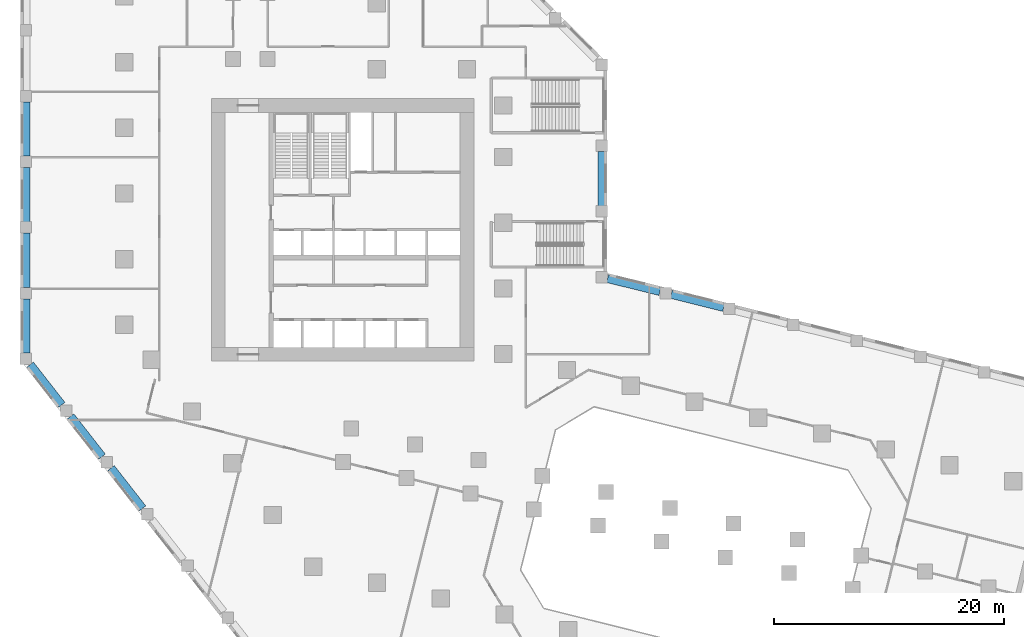
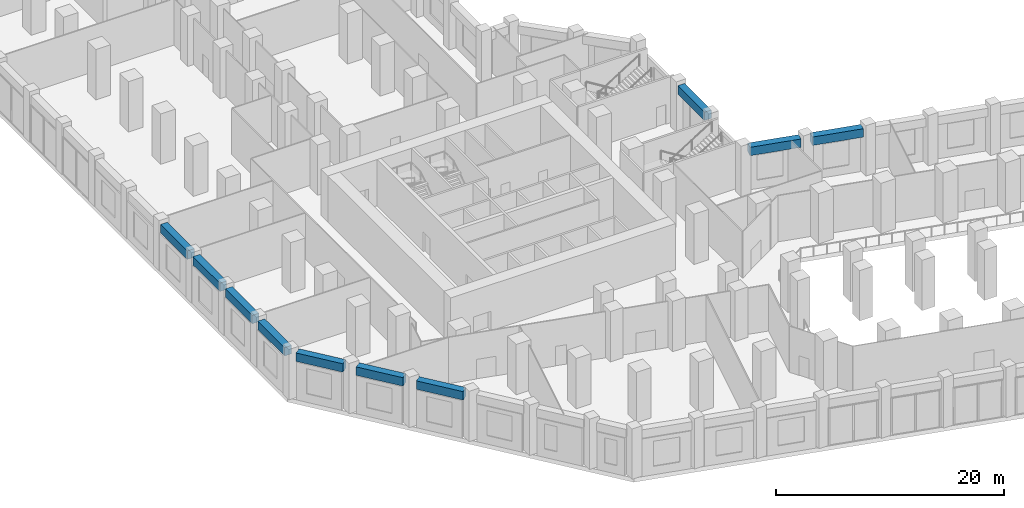
# One storey, part 3 of 23: 10 beams.
"""IFC4 building model written with IfcOpenShell, lengths in metres."""

from ifc_helpers import new_model, si_unit, direction, frame, origin, origin_2d, place, context, subcontext, project, spatial, rectangle, extrude, material, material_profile, profile_set, type_object, element, save


model = new_model("IFC4")

# Units and contexts
model_context = context("Model", 3, precision=1e-05, world=origin(), true_north=direction((0.0, 1.0)))
body_context = subcontext(model_context, "Body", "Model", "MODEL_VIEW")
ifc_project = project(units=[si_unit("LENGTHUNIT", "METRE"), si_unit("AREAUNIT", "SQUARE_METRE"), si_unit("VOLUMEUNIT", "CUBIC_METRE"), si_unit("PLANEANGLEUNIT", "RADIAN"), si_unit("MASSUNIT", "GRAM", prefix="KILO")], contexts=[model_context])

# Site, building, storey
site_placement = place(None, origin())
site = spatial("IfcSite", under=ifc_project, at=site_placement, CompositionType="ELEMENT")
building_placement = place(site_placement, origin())
building = spatial("IfcBuilding", under=site, at=building_placement, Name="Meshkara Civic Tower", CompositionType="ELEMENT")
storey_placement = place(building_placement, frame((0.0, 0.0, 7.199951171875)))
storey = spatial("IfcBuildingStorey", under=building, at=storey_placement, Name="L01", CompositionType="ELEMENT", Elevation=7.199951171875)

# Beams
ifc_material = material(Name="Concrete C60", Category="concrete")
ifc_material_profile = material_profile(ifc_material, rectangle(XDim=0.699951171875, YDim=0.89990234375, at=origin_2d()))
ifc_profile_set = profile_set([ifc_material_profile], Name="Concrete C60")
beam_type = type_object("IfcBeamType", Name="Spandrel beam RC 700x900 C60", PredefinedType="BEAM", material=ifc_profile_set)
for number, where, z_axis, x_axis, name in (
    (1, (-8.10009765625, 36.615966796875, 4.5), (0.0, -1.0, 0.0), (1.0, 0.0, 0.0), "Spandrel beam PD02-03-PD02-04"),
    (2, (-8.10009765625, 30.916015625, 4.5), (0.0, -1.0, 0.0), (1.0, 0.0, 0.0), "Spandrel beam PD02-02-PD02-03"),
    (3, (-8.10009765625, 25.216064453125, 4.5), (0.0, -1.0, 0.0), (1.0, 0.0, 0.0), "Spandrel beam PD02-01-PD02-02"),
):
    element("IfcBeam", number, at=place(storey_placement, frame(where, z_axis=z_axis, x_axis=x_axis)), inside=storey, type_object=beam_type, Name=name, PredefinedType="BEAM", context=body_context, shape_type="SweptSolid", body=[
        extrude(rectangle(XDim=0.699951171875, YDim=0.89990234375, at=origin_2d()), origin(), (0.0, 0.0, 1.0), 4.7099609375),
    ])
beam_1_placement = place(storey_placement, frame((-8.10009765625, 19.51611328125, 4.5), z_axis=(0.0, -1.0, 0.0), x_axis=(1.0, 0.0, 0.0)))
element("IfcBeam", 4, at=beam_1_placement, inside=storey, type_object=beam_type, Name="Spandrel beam PD02-00-PD02-01", PredefinedType="BEAM", context=body_context, shape_type="SweptSolid", body=[
    extrude(rectangle(XDim=0.699951171875, YDim=0.89990234375, at=origin_2d()), origin(), (0.0, 0.0, 1.0), 4.710205078125),
])
beam_2_placement = place(storey_placement, frame((-7.71240234375, 13.81494140625, 4.5), z_axis=(0.615602435322, -0.788056877151, 0.0), x_axis=(0.788056877151, 0.615602435322, 0.0)))
element("IfcBeam", 5, at=beam_2_placement, inside=storey, type_object=beam_type, Name="Spandrel beam PD02-00-PD03-01", PredefinedType="BEAM", context=body_context, shape_type="SweptSolid", body=[
    extrude(rectangle(XDim=0.699951171875, YDim=0.89990234375, at=origin_2d()), origin(), (0.0, 0.0, 1.0), 4.44091796875),
])
beam_3_placement = place(storey_placement, frame((-4.203369140625, 9.322998046875, 4.5), z_axis=(0.615709126877, -0.787973521814, 0.0), x_axis=(0.787973521814, 0.615709126877, 0.0)))
element("IfcBeam", 6, at=beam_3_placement, inside=storey, type_object=beam_type, Name="Spandrel beam PD03-01-PD03-02", PredefinedType="BEAM", context=body_context, shape_type="SweptSolid", body=[
    extrude(rectangle(XDim=0.699951171875, YDim=0.89990234375, at=origin_2d()), origin(), (0.0, 0.0, 1.0), 4.440185546875),
])
beam_4_placement = place(storey_placement, frame((-0.6943359375, 4.831787109375, 4.5), z_axis=(0.615704842432, -0.787976869588, 0.0), x_axis=(0.787976869588, 0.615704842432, 0.0)))
element("IfcBeam", 7, at=beam_4_placement, inside=storey, type_object=beam_type, Name="Spandrel beam PD03-02-PD03-03", PredefinedType="BEAM", context=body_context, shape_type="SweptSolid", body=[
    extrude(rectangle(XDim=0.699951171875, YDim=0.89990234375, at=origin_2d()), origin(), (0.0, 0.0, 1.0), 4.44140625),
])
beam_5_placement = place(storey_placement, frame((52.4658203125, 18.764404296875, 4.5), z_axis=(-0.970286590806, 0.241958533023, 0.0), x_axis=(-0.241958533023, -0.970286590806, 0.0)))
element("IfcBeam", 8, at=beam_5_placement, inside=storey, type_object=beam_type, Name="Spandrel beam PD08-01-PD08-02", PredefinedType="BEAM", context=body_context, shape_type="SweptSolid", body=[
    extrude(rectangle(XDim=0.699951171875, YDim=0.89990234375, at=origin_2d()), origin(), (0.0, 0.0, 1.0), 4.6787109375),
])
beam_6_placement = place(storey_placement, frame((46.935791015625, 20.1435546875, 4.5), z_axis=(-0.970311050729, 0.24186042428, 0.0), x_axis=(-0.24186042428, -0.970311050729, 0.0)))
element("IfcBeam", 9, at=beam_6_placement, inside=storey, type_object=beam_type, Name="Spandrel beam PD08-00-PD08-01", PredefinedType="BEAM", context=body_context, shape_type="SweptSolid", body=[
    extrude(rectangle(XDim=0.699951171875, YDim=0.89990234375, at=origin_2d()), origin(), (0.0, 0.0, 1.0), 4.6796875),
])
beam_7_placement = place(storey_placement, frame((41.89990234375, 27.593994140625, 4.5), z_axis=(0.0, 1.0, 0.0), x_axis=(-1.0, 0.0, 0.0)))
element("IfcBeam", 10, at=beam_7_placement, inside=storey, type_object=beam_type, Name="Spandrel beam PD09-01-PD09-02", PredefinedType="BEAM", context=body_context, shape_type="SweptSolid", body=[
    extrude(rectangle(XDim=0.699951171875, YDim=0.89990234375, at=origin_2d()), origin(), (0.0, 0.0, 1.0), 4.7099609375),
])

save(model, "model.ifc")
